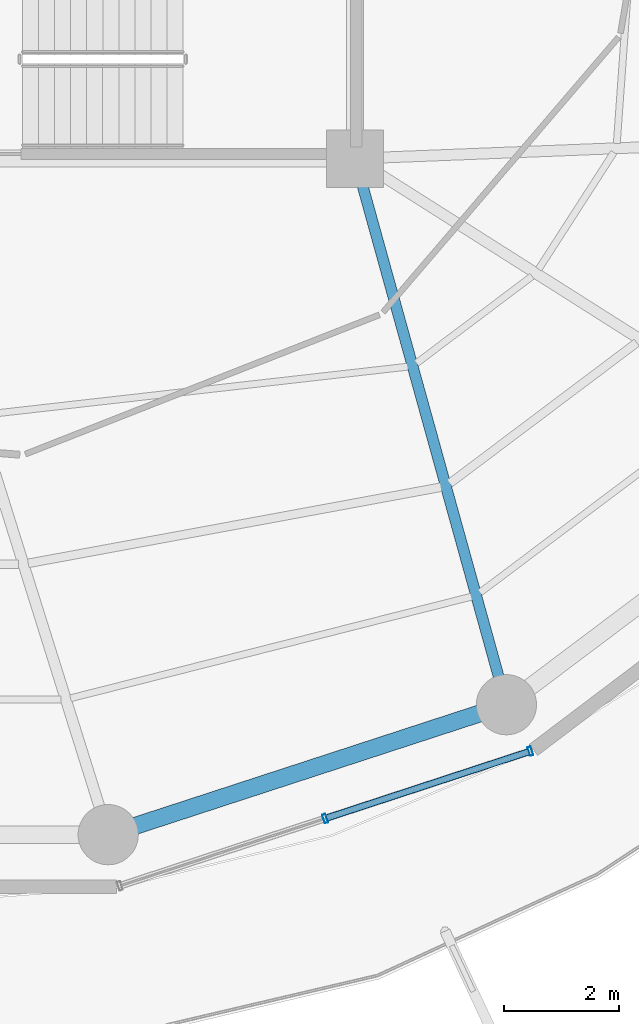
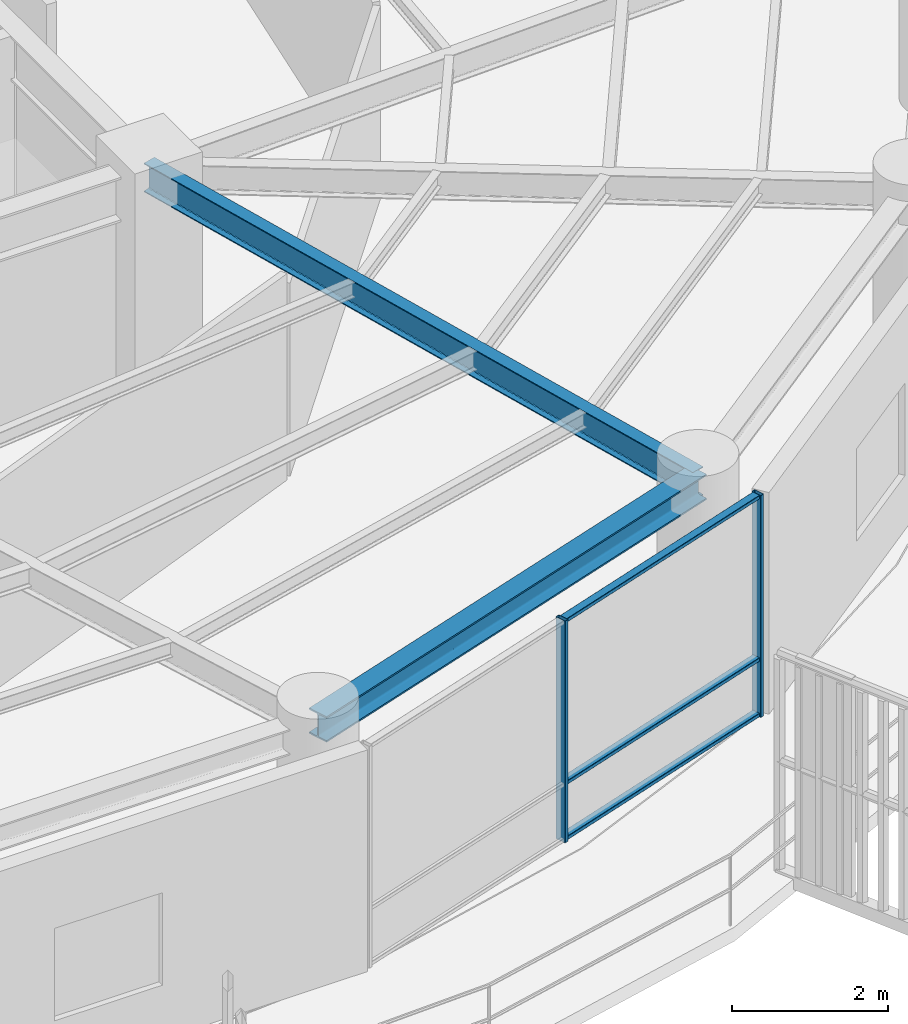
# One storey, part 10 of 30: 5 members, 2 beams, 1 element without a shape of its own.
"""IFC4 building model written with IfcOpenShell, lengths in metres."""

from ifc_helpers import new_model, si_unit, direction, frame, origin, origin_2d, place, context, subcontext, project, spatial, hollow_rectangle, i_section, extrude, material, layer, layer_set, material_profile, profile_set, type_object, element, aggregate, save


model = new_model("IFC4")

# Units and contexts
model_context = context("Model", 3, precision=1e-05, world=origin(), true_north=direction((0.0, 1.0)))
body_context = subcontext(model_context, "Body", "Model", "MODEL_VIEW")
ifc_project = project(units=[si_unit("LENGTHUNIT", "METRE"), si_unit("AREAUNIT", "SQUARE_METRE"), si_unit("VOLUMEUNIT", "CUBIC_METRE"), si_unit("PLANEANGLEUNIT", "RADIAN"), si_unit("MASSUNIT", "GRAM", prefix="KILO")], contexts=[model_context])

# Site, building, storey
site_placement = place(None, origin())
site = spatial("IfcSite", under=ifc_project, at=site_placement, CompositionType="ELEMENT")
building_placement = place(site_placement, origin())
building = spatial("IfcBuilding", under=site, at=building_placement, Name="Kelanora Arch Commons", CompositionType="ELEMENT")
storey_placement = place(building_placement, frame((0.0, 0.0, 234.449951171875)))
storey = spatial("IfcBuildingStorey", under=building, at=storey_placement, Name="L60", CompositionType="ELEMENT", Elevation=234.449951171875)

# Beams
ifc_material_1 = material(Name="Steel S355", Category="steel")
ifc_material_profile_1 = material_profile(ifc_material_1, i_section(OverallWidth=0.18994140625, OverallDepth=0.449951171875, WebThickness=0.009521484375, FlangeThickness=0.0146484375, FilletRadius=0.02099609375, at=origin_2d()), Name="IPE450")
ifc_profile_set_1 = profile_set([ifc_material_profile_1], Name="Steel S355")
beam_type_1 = type_object("IfcBeamType", Name="BM-RAD-Z4", PredefinedType="BEAM", material=ifc_profile_set_1)
beam_1_placement = place(storey_placement, frame((82.0, 51.0, 3.26513671875), z_axis=(0.267120164296, -0.963663228429, 0.0), x_axis=(0.963663228429, 0.267120164296, 0.0)))
element("IfcBeam", 1, at=beam_1_placement, inside=storey, type_object=beam_type_1, Name="Radial Floor Girder BR-30 L60", PredefinedType="BEAM", context=body_context, shape_type="SweptSolid", body=[
    extrude(i_section(OverallWidth=0.18994140625, OverallDepth=0.449951171875, WebThickness=0.009521484375, FlangeThickness=0.0146484375, FilletRadius=0.02099609375, at=origin_2d()), origin(), (0.0, 0.0, 1.0), 9.8828125),
])
ifc_material_profile_2 = material_profile(ifc_material_1, i_section(OverallWidth=0.300048828125, OverallDepth=0.39990234375, WebThickness=0.013427734375, FlangeThickness=0.02392578125, FilletRadius=0.027099609375, at=origin_2d()), Name="HEB400")
ifc_profile_set_2 = profile_set([ifc_material_profile_2], Name="Steel S355")
beam_type_2 = type_object("IfcBeamType", Name="BM-SPN-Z4", PredefinedType="SPANDREL", material=ifc_profile_set_2)
beam_2_placement = place(storey_placement, frame((77.6953125, 39.2099609375, 3.2900390625), z_axis=(0.950656361143, 0.310245842872, 0.0), x_axis=(-0.310245842872, 0.950656361143, 0.0)))
element("IfcBeam", 2, at=beam_2_placement, inside=storey, type_object=beam_type_2, Name="Perimeter Spandrel Beam BS-28 L60", PredefinedType="SPANDREL", context=body_context, shape_type="SweptSolid", body=[
    extrude(i_section(OverallWidth=0.300048828125, OverallDepth=0.39990234375, WebThickness=0.013427734375, FlangeThickness=0.02392578125, FilletRadius=0.027099609375, at=origin_2d()), origin(), (0.0, 0.0, 1.0), 7.304931640625),
])

# Curtain wall, members
ifc_material_2 = material(Name="Terracotta ceramic-fritted low-E glass and aluminium", Category="masonry")
ifc_layer = layer(ifc_material_2, 0.175048828125)
ifc_layer_set = layer_set([ifc_layer], Name="Terracotta ceramic-fritted low-E glass and aluminium")
curtain_wall_type = type_object("IfcCurtainWallType", Name="CW-SYS-02", PredefinedType="NOTDEFINED", material=ifc_layer_set)
curtain_wall_placement = place(storey_placement, origin())
curtain_wall = element("IfcCurtainWall", 3, at=curtain_wall_placement, inside=storey, type_object=curtain_wall_type, Name="Unitised Curtain Wall L60-B14", PredefinedType="NOTDEFINED")
ifc_material_3 = material(Name="Powder-coated aluminium terracotta", Category="masonry")
ifc_material_profile_3 = material_profile(ifc_material_3, hollow_rectangle(XDim=0.159912109375, YDim=0.06005859375, WallThickness=0.0048828125, InnerFilletRadius=0.0048828125, OuterFilletRadius=0.010009765625, at=origin_2d()), Name="CWM160x60")
ifc_profile_set_3 = profile_set([ifc_material_profile_3], Name="Powder-coated aluminium terracotta")
member_type_1 = type_object("IfcMemberType", Name="CWM-STD", PredefinedType="MULLION", material=ifc_profile_set_3)
member_1_placement = place(storey_placement, frame((81.4775390625, 39.49169921875, 0.0), z_axis=(0.0, 0.0, 1.0), x_axis=(-0.311582439059, 0.950219124029, 0.0)))
member_1 = element("IfcMember", 4, at=member_1_placement, type_object=member_type_1, Name="CW-02 mullion 2", PredefinedType="MULLION", context=body_context, shape_type="SweptSolid", body=[
    extrude(hollow_rectangle(XDim=0.159912109375, YDim=0.06005859375, WallThickness=0.0048828125, InnerFilletRadius=0.0048828125, OuterFilletRadius=0.010009765625, at=origin_2d()), origin(), (0.0, 0.0, 1.0), 3.47509765625),
])
member_2_placement = place(storey_placement, frame((85.05712890625, 40.66552734375, 0.0), z_axis=(0.0, 0.0, 1.0), x_axis=(-0.311582439059, 0.950219124029, 0.0)))
member_2 = element("IfcMember", 5, at=member_2_placement, type_object=member_type_1, Name="CW-02 mullion 3", PredefinedType="MULLION", context=body_context, shape_type="SweptSolid", body=[
    extrude(hollow_rectangle(XDim=0.159912109375, YDim=0.06005859375, WallThickness=0.0048828125, InnerFilletRadius=0.0048828125, OuterFilletRadius=0.010009765625, at=origin_2d()), origin(), (0.0, 0.0, 1.0), 3.47509765625),
])
ifc_material_profile_4 = material_profile(ifc_material_3, hollow_rectangle(XDim=0.1201171875, YDim=0.06005859375, WallThickness=0.0048828125, InnerFilletRadius=0.0048828125, OuterFilletRadius=0.010009765625, at=origin_2d()), Name="CWT120x60")
ifc_profile_set_4 = profile_set([ifc_material_profile_4], Name="Powder-coated aluminium terracotta")
member_type_2 = type_object("IfcMemberType", Name="CWT-STD", PredefinedType="USERDEFINED", material=ifc_profile_set_4)
member_3_placement = place(storey_placement, frame((81.506103515625, 39.5009765625, 0.030029296875), z_axis=(0.950226025222, 0.311561392011, 0.0), x_axis=(-0.311561392011, 0.950226025222, 0.0)))
member_3 = element("IfcMember", 6, at=member_3_placement, type_object=member_type_2, Name="CW-02 transom 2.1", ObjectType="TRANSOM", PredefinedType="USERDEFINED", context=body_context, shape_type="SweptSolid", body=[
    extrude(hollow_rectangle(XDim=0.1201171875, YDim=0.06005859375, WallThickness=0.0048828125, InnerFilletRadius=0.0048828125, OuterFilletRadius=0.010009765625, at=origin_2d()), origin(), (0.0, 0.0, 1.0), 3.707275390625),
])
member_4_placement = place(storey_placement, frame((81.506103515625, 39.5009765625, 0.900146484375), z_axis=(0.950226025222, 0.311561392011, 0.0), x_axis=(-0.311561392011, 0.950226025222, 0.0)))
member_4 = element("IfcMember", 7, at=member_4_placement, type_object=member_type_2, Name="CW-02 transom 2.2", ObjectType="TRANSOM", PredefinedType="USERDEFINED", context=body_context, shape_type="SweptSolid", body=[
    extrude(hollow_rectangle(XDim=0.1201171875, YDim=0.06005859375, WallThickness=0.0048828125, InnerFilletRadius=0.0048828125, OuterFilletRadius=0.010009765625, at=origin_2d()), origin(), (0.0, 0.0, 1.0), 3.707275390625),
])
member_5_placement = place(storey_placement, frame((81.506103515625, 39.5009765625, 3.445068359375), z_axis=(0.950226025222, 0.311561392011, 0.0), x_axis=(-0.311561392011, 0.950226025222, 0.0)))
member_5 = element("IfcMember", 8, at=member_5_placement, type_object=member_type_2, Name="CW-02 transom 2.3", ObjectType="TRANSOM", PredefinedType="USERDEFINED", context=body_context, shape_type="SweptSolid", body=[
    extrude(hollow_rectangle(XDim=0.1201171875, YDim=0.06005859375, WallThickness=0.0048828125, InnerFilletRadius=0.0048828125, OuterFilletRadius=0.010009765625, at=origin_2d()), origin(), (0.0, 0.0, 1.0), 3.707275390625),
])
aggregate(curtain_wall, [member_1, member_2, member_3, member_4, member_5])

save(model, "model.ifc")
